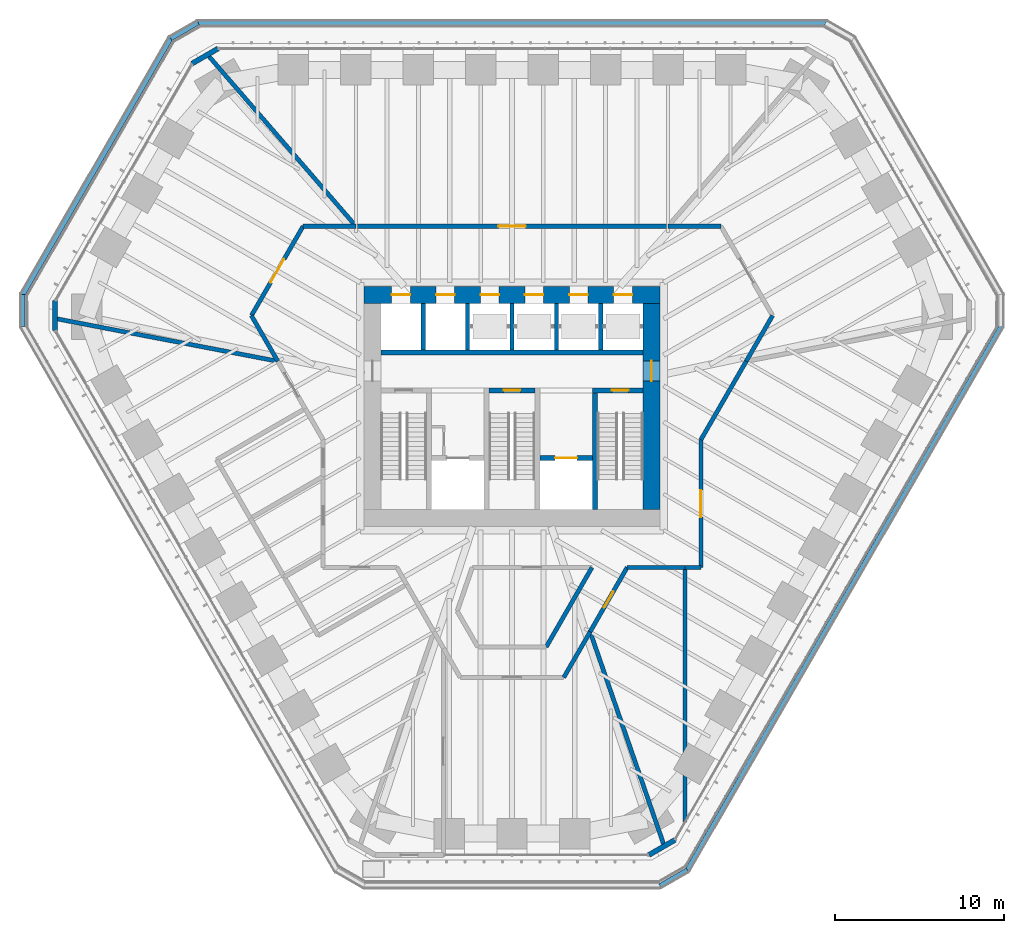
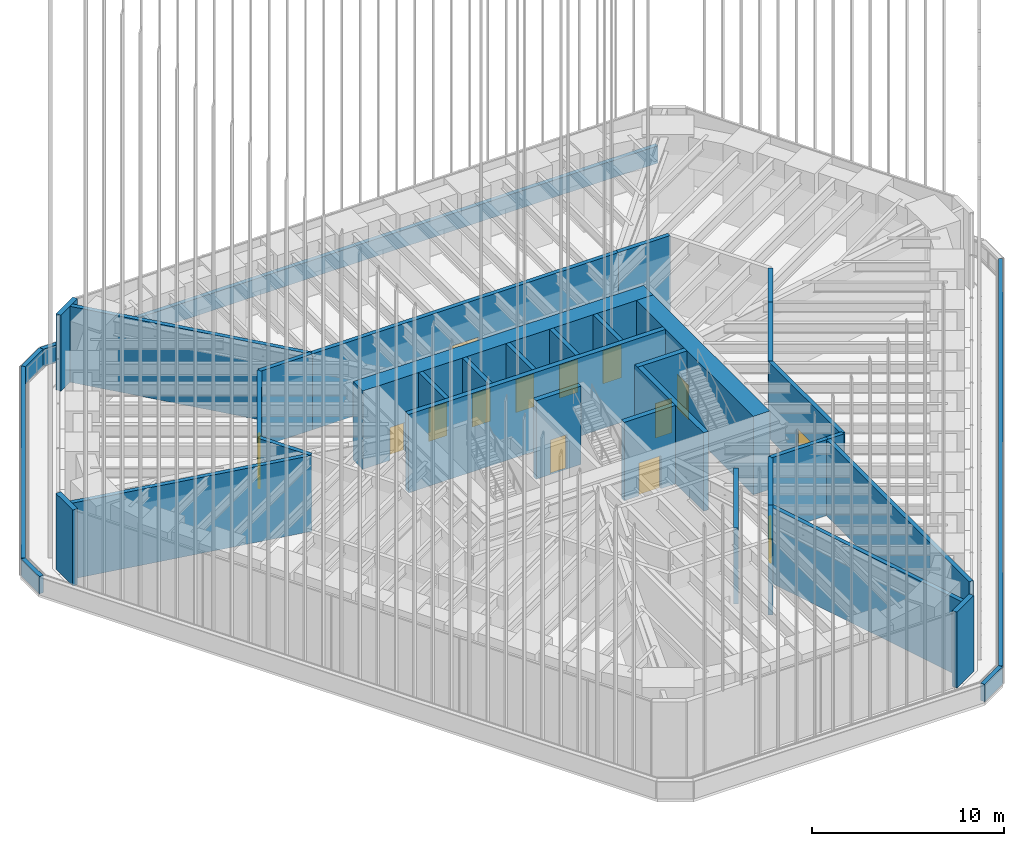
# One storey, part 221 of 228: 38 walls, 14 doors, 14 openings.
"""IFC4 building model written with IfcOpenShell, lengths in metres."""

from ifc_helpers import new_model, si_unit, direction, frame, frame_2d, origin, place, context, subcontext, project, spatial, rectangle, extrude, material, layer, layer_set, type_object, element, fill, save


model = new_model("IFC4")

# Units and contexts
model_context = context("Model", 3, precision=1e-05, world=origin(), true_north=direction((0.0, 1.0)))
body_context = subcontext(model_context, "Body", "Model", "MODEL_VIEW")
ifc_project = project(units=[si_unit("LENGTHUNIT", "METRE"), si_unit("AREAUNIT", "SQUARE_METRE"), si_unit("VOLUMEUNIT", "CUBIC_METRE"), si_unit("PLANEANGLEUNIT", "RADIAN"), si_unit("MASSUNIT", "GRAM", prefix="KILO")], contexts=[model_context])

# Site, building, storey
site_placement = place(None, origin())
site = spatial("IfcSite", under=ifc_project, at=site_placement, CompositionType="ELEMENT")
building_placement = place(site_placement, origin())
building = spatial("IfcBuilding", under=site, at=building_placement, Name="Sandreach Pilgrim Tower", CompositionType="ELEMENT")
storey_placement = place(building_placement, frame((0.0, 0.0, 178.199951171875)))
storey = spatial("IfcBuildingStorey", under=building, at=storey_placement, Name="L44", CompositionType="ELEMENT", Elevation=178.199951171875)

# Wall
ifc_material_1 = material(Name="Concrete 10000 psi", Category="concrete")
ifc_layer_1 = layer(ifc_material_1, 0.300048828125)
ifc_layer_set_1 = layer_set([ifc_layer_1], Name="Core inner wall 300")
wall_type_1 = type_object("IfcWallType", Name="Core inner wall 300", PredefinedType="SHEAR", material=ifc_layer_set_1)
wall_1_placement = place(storey_placement, frame((4.89990234375, -6.10009765625, 0.0), z_axis=(0.0, 0.0, 1.0), x_axis=(0.0, 1.0, 0.0)))
element("IfcWall", 1, at=wall_1_placement, inside=storey, type_object=wall_type_1, Name="Core wall I3 L44", PredefinedType="SHEAR", context=body_context, shape_type="SweptSolid", body=[
    extrude(rectangle(XDim=7.2001953125, YDim=0.300048828125, at=frame_2d((3.60009765625, 0.0))), origin(), (0.0, 0.0, 1.0), 5.0),
])

# Wall, opening, door
wall_2_placement = place(storey_placement, frame((-1.35009765625, 0.949951171875, 0.0), z_axis=(0.0, 0.0, 1.0), x_axis=(1.0, 0.0, 0.0)))
wall_2 = element("IfcWall", 2, at=wall_2_placement, inside=storey, type_object=wall_type_1, Name="Core wall SN3 L44", PredefinedType="SHEAR", context=body_context, shape_type="SweptSolid", body=[
    extrude(rectangle(XDim=2.7001953125, YDim=0.300048828125, at=frame_2d((1.35009765625, 0.0))), origin(), (0.0, 0.0, 1.0), 5.0),
])
opening_1_placement = place(wall_2_placement, frame((0.85009765625, 0.0, 0.0)))
opening_1 = element("IfcOpeningElement", 3, at=opening_1_placement, cuts=wall_2, Name="Opening D10S-ST3", PredefinedType="OPENING", context=body_context, shape_type="SweptSolid", body=[
    extrude(rectangle(XDim=1.0, YDim=2.199951171875, at=frame_2d((0.5, 1.10009765625))), frame((0.0, 0.14990234375, 0.0), z_axis=(0.0, -1.0, 0.0), x_axis=(1.0, 0.0, 0.0)), (0.0, 0.0, 1.0), 0.300048828125),
])
ifc_material_2 = material(Name="Steel door and frame", Category="steel")
door_type_1 = type_object("IfcDoorType", Name="Stair door", OperationType="SINGLE_SWING_LEFT", PredefinedType="DOOR", material=ifc_material_2)
door_1_placement = place(opening_1_placement, origin())
door_1 = element("IfcDoor", 4, at=door_1_placement, inside=storey, type_object=door_type_1, Name="Stair door ST3 L44", OperationType="SINGLE_SWING_LEFT", OverallHeight=2.199951171875, OverallWidth=1.0, PredefinedType="DOOR", context=body_context, shape_type="SweptSolid", body=[
    extrude(rectangle(XDim=1.0, YDim=2.199951171875, at=frame_2d((0.5, 1.10009765625))), frame((0.0, 0.02490234375, 0.0), z_axis=(0.0, -1.0, 0.0), x_axis=(1.0, 0.0, 0.0)), (0.0, 0.0, 1.0), 0.050048828125),
])
fill(opening_1, door_1)

wall_3_placement = place(storey_placement, frame((4.75, 0.949951171875, 0.0), z_axis=(0.0, 0.0, 1.0), x_axis=(1.0, 0.0, 0.0)))
wall_3 = element("IfcWall", 5, at=wall_3_placement, inside=storey, type_object=wall_type_1, Name="Core wall SN2 L44", PredefinedType="SHEAR", context=body_context, shape_type="SweptSolid", body=[
    extrude(rectangle(XDim=3.0, YDim=0.300048828125, at=frame_2d((1.5, 0.0))), origin(), (0.0, 0.0, 1.0), 5.0),
])
opening_2_placement = place(wall_3_placement, frame((1.14990234375, 0.0, 0.0)))
opening_2 = element("IfcOpeningElement", 6, at=opening_2_placement, cuts=wall_3, Name="Opening D10S-ST2", PredefinedType="OPENING", context=body_context, shape_type="SweptSolid", body=[
    extrude(rectangle(XDim=1.0, YDim=2.199951171875, at=frame_2d((0.5, 1.10009765625))), frame((0.0, 0.14990234375, 0.0), z_axis=(0.0, -1.0, 0.0), x_axis=(1.0, 0.0, 0.0)), (0.0, 0.0, 1.0), 0.300048828125),
])
door_2_placement = place(opening_2_placement, origin())
door_2 = element("IfcDoor", 7, at=door_2_placement, inside=storey, type_object=door_type_1, Name="Stair door ST2 L44", OperationType="SINGLE_SWING_RIGHT", OverallHeight=2.199951171875, OverallWidth=1.0, PredefinedType="DOOR", context=body_context, shape_type="SweptSolid", body=[
    extrude(rectangle(XDim=1.0, YDim=2.199951171875, at=frame_2d((0.5, 1.10009765625))), frame((0.0, 0.02490234375, 0.0), z_axis=(0.0, -1.0, 0.0), x_axis=(1.0, 0.0, 0.0)), (0.0, 0.0, 1.0), 0.050048828125),
])
fill(opening_2, door_2)

wall_4_placement = place(storey_placement, frame((1.64990234375, -3.050048828125, 0.0), z_axis=(0.0, 0.0, 1.0), x_axis=(1.0, 0.0, 0.0)))
wall_4 = element("IfcWall", 8, at=wall_4_placement, inside=storey, type_object=wall_type_1, Name="Core wall FL2 L44", PredefinedType="SHEAR", context=body_context, shape_type="SweptSolid", body=[
    extrude(rectangle(XDim=3.10009765625, YDim=0.300048828125, at=frame_2d((1.550048828125, 0.0))), origin(), (0.0, 0.0, 1.0), 5.0),
])
opening_3_placement = place(wall_4_placement, frame((0.89990234375, 0.0, 0.0)))
opening_3 = element("IfcOpeningElement", 9, at=opening_3_placement, cuts=wall_4, Name="Opening LD13", PredefinedType="OPENING", context=body_context, shape_type="SweptSolid", body=[
    extrude(rectangle(XDim=1.300048828125, YDim=2.10009765625, at=frame_2d((0.64990234375, 1.050048828125))), frame((0.0, 0.14990234375, 0.0), z_axis=(0.0, -1.0, 0.0), x_axis=(1.0, 0.0, 0.0)), (0.0, 0.0, 1.0), 0.300048828125),
])
ifc_material_3 = material(Name="Steel door and frame", Category="steel")
door_type_2 = type_object("IfcDoorType", Name="Fire service lift landing door", OperationType="DOUBLE_DOOR_SLIDING", PredefinedType="DOOR", material=ifc_material_3)
door_3_placement = place(opening_3_placement, origin())
door_3 = element("IfcDoor", 10, at=door_3_placement, inside=storey, type_object=door_type_2, Name="Lift landing door FS2 L44", OperationType="DOUBLE_DOOR_SLIDING", OverallHeight=2.10009765625, OverallWidth=1.300048828125, PredefinedType="DOOR", context=body_context, shape_type="SweptSolid", body=[
    extrude(rectangle(XDim=1.300048828125, YDim=2.10009765625, at=frame_2d((0.64990234375, 1.050048828125))), frame((0.0, 0.02490234375, 0.0), z_axis=(0.0, -1.0, 0.0), x_axis=(1.0, 0.0, 0.0)), (0.0, 0.0, 1.0), 0.050048828125),
])
fill(opening_3, door_3)

# Wall
wall_5_placement = place(storey_placement, frame((-7.75, 3.199951171875, 0.0), z_axis=(0.0, 0.0, 1.0), x_axis=(1.0, 0.0, 0.0)))
element("IfcWall", 11, at=wall_5_placement, inside=storey, type_object=wall_type_1, Name="Core wall PN L44", PredefinedType="SHEAR", context=body_context, shape_type="SweptSolid", body=[
    extrude(rectangle(XDim=15.5, YDim=0.300048828125, at=frame_2d((7.75, 0.0))), origin(), (0.0, 0.0, 1.0), 5.0),
])

# Wall, openings, doors
ifc_material_4 = material(Name="Concrete 10000 psi", Category="concrete")
ifc_layer_2 = layer(ifc_material_4, 1.0)
ifc_layer_set_2 = layer_set([ifc_layer_2], Name="Core wall 1000")
wall_type_2 = type_object("IfcWallType", Name="Core wall 1000", PredefinedType="SHEAR", material=ifc_layer_set_2)
wall_6_placement = place(storey_placement, frame((-8.75, 6.60009765625, 0.0), z_axis=(0.0, 0.0, 1.0), x_axis=(1.0, 0.0, 0.0)))
wall_6 = element("IfcWall", 12, at=wall_6_placement, inside=storey, type_object=wall_type_2, Name="Core wall N L44", PredefinedType="SHEAR", context=body_context, shape_type="SweptSolid", body=[
    extrude(rectangle(XDim=17.5, YDim=1.0, at=frame_2d((8.75, 0.0))), origin(), (0.0, 0.0, 1.0), 5.0),
])
opening_4_placement = place(wall_6_placement, frame((1.637451171875, 0.0, 0.0)))
opening_4 = element("IfcOpeningElement", 13, at=opening_4_placement, cuts=wall_6, Name="Opening LD11", PredefinedType="OPENING", context=body_context, shape_type="SweptSolid", body=[
    extrude(rectangle(XDim=1.10009765625, YDim=2.10009765625, at=frame_2d((0.550048828125, 1.050048828125))), frame((0.0, 0.5, 0.0), z_axis=(0.0, -1.0, 0.0), x_axis=(1.0, 0.0, 0.0)), (0.0, 0.0, 1.0), 1.0),
])
opening_5_placement = place(wall_6_placement, frame((4.262451171875, 0.0, 0.0)))
opening_5 = element("IfcOpeningElement", 14, at=opening_5_placement, cuts=wall_6, Name="Opening LD11", PredefinedType="OPENING", context=body_context, shape_type="SweptSolid", body=[
    extrude(rectangle(XDim=1.10009765625, YDim=2.10009765625, at=frame_2d((0.550048828125, 1.050048828125))), frame((0.0, 0.5, 0.0), z_axis=(0.0, -1.0, 0.0), x_axis=(1.0, 0.0, 0.0)), (0.0, 0.0, 1.0), 1.0),
])
opening_6_placement = place(wall_6_placement, frame((6.887451171875, 0.0, 0.0)))
opening_6 = element("IfcOpeningElement", 15, at=opening_6_placement, cuts=wall_6, Name="Opening LD11", PredefinedType="OPENING", context=body_context, shape_type="SweptSolid", body=[
    extrude(rectangle(XDim=1.10009765625, YDim=2.10009765625, at=frame_2d((0.550048828125, 1.050048828125))), frame((0.0, 0.5, 0.0), z_axis=(0.0, -1.0, 0.0), x_axis=(1.0, 0.0, 0.0)), (0.0, 0.0, 1.0), 1.0),
])
opening_7_placement = place(wall_6_placement, frame((9.512451171875, 0.0, 0.0)))
opening_7 = element("IfcOpeningElement", 16, at=opening_7_placement, cuts=wall_6, Name="Opening LD11", PredefinedType="OPENING", context=body_context, shape_type="SweptSolid", body=[
    extrude(rectangle(XDim=1.10009765625, YDim=2.10009765625, at=frame_2d((0.550048828125, 1.050048828125))), frame((0.0, 0.5, 0.0), z_axis=(0.0, -1.0, 0.0), x_axis=(1.0, 0.0, 0.0)), (0.0, 0.0, 1.0), 1.0),
])
opening_8_placement = place(wall_6_placement, frame((12.137451171875, 0.0, 0.0)))
opening_8 = element("IfcOpeningElement", 17, at=opening_8_placement, cuts=wall_6, Name="Opening LD11", PredefinedType="OPENING", context=body_context, shape_type="SweptSolid", body=[
    extrude(rectangle(XDim=1.10009765625, YDim=2.10009765625, at=frame_2d((0.550048828125, 1.050048828125))), frame((0.0, 0.5, 0.0), z_axis=(0.0, -1.0, 0.0), x_axis=(1.0, 0.0, 0.0)), (0.0, 0.0, 1.0), 1.0),
])
opening_9_placement = place(wall_6_placement, frame((14.762451171875, 0.0, 0.0)))
opening_9 = element("IfcOpeningElement", 18, at=opening_9_placement, cuts=wall_6, Name="Opening LD11", PredefinedType="OPENING", context=body_context, shape_type="SweptSolid", body=[
    extrude(rectangle(XDim=1.10009765625, YDim=2.10009765625, at=frame_2d((0.550048828125, 1.050048828125))), frame((0.0, 0.5, 0.0), z_axis=(0.0, -1.0, 0.0), x_axis=(1.0, 0.0, 0.0)), (0.0, 0.0, 1.0), 1.0),
])
ifc_material_5 = material(Name="Steel door and frame", Category="steel")
door_type_3 = type_object("IfcDoorType", Name="Lift landing door", OperationType="DOUBLE_DOOR_SLIDING", PredefinedType="DOOR", material=ifc_material_5)
door_4_placement = place(opening_4_placement, origin())
door_4 = element("IfcDoor", 19, at=door_4_placement, inside=storey, type_object=door_type_3, Name="Lift landing door SH1 L44", OperationType="DOUBLE_DOOR_SLIDING", OverallHeight=2.10009765625, OverallWidth=1.10009765625, PredefinedType="DOOR", context=body_context, shape_type="SweptSolid", body=[
    extrude(rectangle(XDim=1.10009765625, YDim=2.10009765625, at=frame_2d((0.550048828125, 1.050048828125))), frame((0.0, 0.02490234375, 0.0), z_axis=(0.0, -1.0, 0.0), x_axis=(1.0, 0.0, 0.0)), (0.0, 0.0, 1.0), 0.050048828125),
])
fill(opening_4, door_4)
door_5_placement = place(opening_5_placement, origin())
door_5 = element("IfcDoor", 20, at=door_5_placement, inside=storey, type_object=door_type_3, Name="Lift landing door SH2 L44", OperationType="DOUBLE_DOOR_SLIDING", OverallHeight=2.10009765625, OverallWidth=1.10009765625, PredefinedType="DOOR", context=body_context, shape_type="SweptSolid", body=[
    extrude(rectangle(XDim=1.10009765625, YDim=2.10009765625, at=frame_2d((0.550048828125, 1.050048828125))), frame((0.0, 0.02490234375, 0.0), z_axis=(0.0, -1.0, 0.0), x_axis=(1.0, 0.0, 0.0)), (0.0, 0.0, 1.0), 0.050048828125),
])
fill(opening_5, door_5)
door_6_placement = place(opening_6_placement, origin())
door_6 = element("IfcDoor", 21, at=door_6_placement, inside=storey, type_object=door_type_3, Name="Lift landing door Z3A L44", OperationType="DOUBLE_DOOR_SLIDING", OverallHeight=2.10009765625, OverallWidth=1.10009765625, PredefinedType="DOOR", context=body_context, shape_type="SweptSolid", body=[
    extrude(rectangle(XDim=1.10009765625, YDim=2.10009765625, at=frame_2d((0.550048828125, 1.050048828125))), frame((0.0, 0.02490234375, 0.0), z_axis=(0.0, -1.0, 0.0), x_axis=(1.0, 0.0, 0.0)), (0.0, 0.0, 1.0), 0.050048828125),
])
fill(opening_6, door_6)
door_7_placement = place(opening_7_placement, origin())
door_7 = element("IfcDoor", 22, at=door_7_placement, inside=storey, type_object=door_type_3, Name="Lift landing door Z3B L44", OperationType="DOUBLE_DOOR_SLIDING", OverallHeight=2.10009765625, OverallWidth=1.10009765625, PredefinedType="DOOR", context=body_context, shape_type="SweptSolid", body=[
    extrude(rectangle(XDim=1.10009765625, YDim=2.10009765625, at=frame_2d((0.550048828125, 1.050048828125))), frame((0.0, 0.02490234375, 0.0), z_axis=(0.0, -1.0, 0.0), x_axis=(1.0, 0.0, 0.0)), (0.0, 0.0, 1.0), 0.050048828125),
])
fill(opening_7, door_7)
door_8_placement = place(opening_8_placement, origin())
door_8 = element("IfcDoor", 23, at=door_8_placement, inside=storey, type_object=door_type_3, Name="Lift landing door Z3C L44", OperationType="DOUBLE_DOOR_SLIDING", OverallHeight=2.10009765625, OverallWidth=1.10009765625, PredefinedType="DOOR", context=body_context, shape_type="SweptSolid", body=[
    extrude(rectangle(XDim=1.10009765625, YDim=2.10009765625, at=frame_2d((0.550048828125, 1.050048828125))), frame((0.0, 0.02490234375, 0.0), z_axis=(0.0, -1.0, 0.0), x_axis=(1.0, 0.0, 0.0)), (0.0, 0.0, 1.0), 0.050048828125),
])
fill(opening_8, door_8)
door_9_placement = place(opening_9_placement, origin())
door_9 = element("IfcDoor", 24, at=door_9_placement, inside=storey, type_object=door_type_3, Name="Lift landing door Z3D L44", OperationType="DOUBLE_DOOR_SLIDING", OverallHeight=2.10009765625, OverallWidth=1.10009765625, PredefinedType="DOOR", context=body_context, shape_type="SweptSolid", body=[
    extrude(rectangle(XDim=1.10009765625, YDim=2.10009765625, at=frame_2d((0.550048828125, 1.050048828125))), frame((0.0, 0.02490234375, 0.0), z_axis=(0.0, -1.0, 0.0), x_axis=(1.0, 0.0, 0.0)), (0.0, 0.0, 1.0), 0.050048828125),
])
fill(opening_9, door_9)

# Wall, opening, door
wall_7_placement = place(storey_placement, frame((8.25, -6.10009765625, 0.0), z_axis=(0.0, 0.0, 1.0), x_axis=(0.0, 1.0, 0.0)))
wall_7 = element("IfcWall", 25, at=wall_7_placement, inside=storey, type_object=wall_type_2, Name="Core wall E L44", PredefinedType="SHEAR", context=body_context, shape_type="SweptSolid", body=[
    extrude(rectangle(XDim=12.2001953125, YDim=1.0, at=frame_2d((6.10009765625, 0.0))), origin(), (0.0, 0.0, 1.0), 5.0),
])
opening_10_placement = place(wall_7_placement, frame((7.60009765625, 0.0, 0.0)))
opening_10 = element("IfcOpeningElement", 26, at=opening_10_placement, cuts=wall_7, Name="Opening D12F-E", PredefinedType="OPENING", context=body_context, shape_type="SweptSolid", body=[
    extrude(rectangle(XDim=1.199951171875, YDim=2.199951171875, at=frame_2d((0.60009765625, 1.10009765625))), frame((0.0, 0.5, 0.0), z_axis=(0.0, -1.0, 0.0), x_axis=(1.0, 0.0, 0.0)), (0.0, 0.0, 1.0), 1.0),
])
ifc_material_6 = material(Name="Steel door and frame", Category="steel")
door_type_4 = type_object("IfcDoorType", Name="Fire lobby door", OperationType="SINGLE_SWING_LEFT", PredefinedType="DOOR", material=ifc_material_6)
door_10_placement = place(opening_10_placement, origin())
door_10 = element("IfcDoor", 27, at=door_10_placement, inside=storey, type_object=door_type_4, Name="Fire service lobby door E L44", OperationType="SINGLE_SWING_RIGHT", OverallHeight=2.199951171875, OverallWidth=1.199951171875, PredefinedType="DOOR", context=body_context, shape_type="SweptSolid", body=[
    extrude(rectangle(XDim=1.199951171875, YDim=2.199951171875, at=frame_2d((0.60009765625, 1.10009765625))), frame((0.0, 0.02490234375, 0.0), z_axis=(0.0, -1.0, 0.0), x_axis=(1.0, 0.0, 0.0)), (0.0, 0.0, 1.0), 0.050048828125),
])
fill(opening_10, door_10)

# Walls
ifc_material_7 = material(Name="Acoustic gypsum board wall, double frame", Category="gypsum")
ifc_layer_3 = layer(ifc_material_7, 0.25)
ifc_layer_set_3 = layer_set([ifc_layer_3], Name="Hall partition 250")
wall_type_3 = type_object("IfcWallType", Name="Hall partition 250", PredefinedType="PARTITIONING", material=ifc_layer_set_3)
wall_8_placement = place(storey_placement, frame((-27.04052734375, 5.204345703125, 0.0), z_axis=(0.0, 0.0, 1.0), x_axis=(0.982036771594, -0.188689637335, 0.0)))
element("IfcWall", 28, at=wall_8_placement, inside=storey, type_object=wall_type_3, Name="Hall partition L44-001", PredefinedType="PARTITIONING", context=body_context, shape_type="SweptSolid", body=[
    extrude(rectangle(XDim=13.431640625, YDim=0.25, at=frame_2d((6.7158203125, 0.0))), origin(), (0.0, 0.0, 1.0), 4.840087890625),
])
wall_9_placement = place(storey_placement, frame((-15.409912109375, 5.3701171875, 0.0), z_axis=(0.0, 0.0, 1.0), x_axis=(0.50020585531, -0.86590652054, 0.0)))
element("IfcWall", 29, at=wall_9_placement, inside=storey, type_object=wall_type_3, Name="Hall partition L44-004", PredefinedType="PARTITIONING", context=body_context, shape_type="SweptSolid", body=[
    extrude(rectangle(XDim=3.118408203125, YDim=0.25, at=frame_2d((1.55908203125, 0.0))), origin(), (0.0, 0.0, 1.0), 4.840087890625),
])

# Wall, opening, door
wall_10_placement = place(storey_placement, frame((-12.35009765625, 10.659912109375, 0.0), z_axis=(0.0, 0.0, 1.0), x_axis=(-0.500688204455, -0.865627703992, 0.0)))
wall_10 = element("IfcWall", 30, at=wall_10_placement, inside=storey, type_object=wall_type_3, Name="Hall partition L44-007", PredefinedType="PARTITIONING", context=body_context, shape_type="SweptSolid", body=[
    extrude(rectangle(XDim=6.111328125, YDim=0.25, at=frame_2d((3.0556640625, 0.0))), origin(), (0.0, 0.0, 1.0), 4.840087890625),
])
opening_11_placement = place(wall_10_placement, frame((2.255615234375, 0.0, 0.0)))
opening_11 = element("IfcOpeningElement", 31, at=opening_11_placement, cuts=wall_10, Name="Opening D16-06", PredefinedType="OPENING", context=body_context, shape_type="SweptSolid", body=[
    extrude(rectangle(XDim=1.60009765625, YDim=2.39990234375, at=frame_2d((0.800048828125, 1.199951171875))), frame((0.0, 0.125, 0.0), z_axis=(0.0, -1.0, 0.0), x_axis=(1.0, 0.0, 0.0)), (0.0, 0.0, 1.0), 0.25),
])
ifc_material_8 = material(Name="Steel door and frame", Category="steel")
door_type_5 = type_object("IfcDoorType", Name="Hall double door", OperationType="DOUBLE_DOOR_SINGLE_SWING", PredefinedType="DOOR", material=ifc_material_8)
door_11_placement = place(opening_11_placement, origin())
door_11 = element("IfcDoor", 32, at=door_11_placement, inside=storey, type_object=door_type_5, Name="Door 4406", OperationType="DOUBLE_DOOR_SINGLE_SWING", OverallHeight=2.39990234375, OverallWidth=1.60009765625, PredefinedType="DOOR", context=body_context, shape_type="SweptSolid", body=[
    extrude(rectangle(XDim=1.60009765625, YDim=2.39990234375, at=frame_2d((0.800048828125, 1.199951171875))), frame((0.0, 0.02490234375, 0.0), z_axis=(0.0, -1.0, 0.0), x_axis=(1.0, 0.0, 0.0)), (0.0, 0.0, 1.0), 0.050048828125),
])
fill(opening_11, door_11)

# Walls
wall_11_placement = place(storey_placement, frame((-9.22998046875, 10.659912109375, 0.0), z_axis=(0.0, 0.0, 1.0), x_axis=(-0.654394130992, 0.756153636058, 0.0)))
element("IfcWall", 33, at=wall_11_placement, inside=storey, type_object=wall_type_3, Name="Hall partition L44-017", PredefinedType="PARTITIONING", context=body_context, shape_type="SweptSolid", body=[
    extrude(rectangle(XDim=13.43310546875, YDim=0.25, at=frame_2d((6.716552734375, 0.0))), origin(), (0.0, 0.0, 1.0), 4.840087890625),
])
wall_12_placement = place(storey_placement, frame((-9.22998046875, 10.659912109375, 0.0), z_axis=(0.0, 0.0, 1.0), x_axis=(-1.0, 0.0, 0.0)))
element("IfcWall", 34, at=wall_12_placement, inside=storey, type_object=wall_type_3, Name="Hall partition L44-018", PredefinedType="PARTITIONING", context=body_context, shape_type="SweptSolid", body=[
    extrude(rectangle(XDim=3.1201171875, YDim=0.25, at=frame_2d((1.56005859375, 0.0))), origin(), (0.0, 0.0, 1.0), 4.840087890625),
])
wall_13_placement = place(storey_placement, frame((3.06005859375, -16.030029296875, 0.0), z_axis=(0.0, 0.0, 1.0), x_axis=(0.500298468391, 0.865853014388, 0.0)))
element("IfcWall", 35, at=wall_13_placement, inside=storey, type_object=wall_type_3, Name="Hall partition L44-030", PredefinedType="PARTITIONING", context=body_context, shape_type="SweptSolid", body=[
    extrude(rectangle(XDim=3.1181640625, YDim=0.25, at=frame_2d((1.55908203125, 0.0))), origin(), (0.0, 0.0, 1.0), 4.840087890625),
])
wall_14_placement = place(storey_placement, frame((4.6201171875, -13.330078125, 0.0), z_axis=(0.0, 0.0, 1.0), x_axis=(0.327133057776, -0.944978286793, 0.0)))
element("IfcWall", 36, at=wall_14_placement, inside=storey, type_object=wall_type_3, Name="Hall partition L44-031", PredefinedType="PARTITIONING", context=body_context, shape_type="SweptSolid", body=[
    extrude(rectangle(XDim=13.419921875, YDim=0.25, at=frame_2d((6.7099609375, 0.0))), origin(), (0.0, 0.0, 1.0), 4.840087890625),
])
wall_15_placement = place(storey_placement, frame((4.72998046875, -9.52001953125, 0.0), z_axis=(0.0, 0.0, 1.0), x_axis=(-0.498710838572, -0.86676842322, 0.0)))
element("IfcWall", 37, at=wall_15_placement, inside=storey, type_object=wall_type_3, Name="Hall partition L44-032", PredefinedType="PARTITIONING", context=body_context, shape_type="SweptSolid", body=[
    extrude(rectangle(XDim=5.433837890625, YDim=0.25, at=frame_2d((2.716796875, 0.0))), origin(), (0.0, 0.0, 1.0), 4.840087890625),
])

# Wall, opening, door
wall_16_placement = place(storey_placement, frame((6.81005859375, -9.52001953125, 0.0), z_axis=(0.0, 0.0, 1.0), x_axis=(-0.49916925958, -0.866504501021, 0.0)))
wall_16 = element("IfcWall", 38, at=wall_16_placement, inside=storey, type_object=wall_type_3, Name="Hall partition L44-033", PredefinedType="PARTITIONING", context=body_context, shape_type="SweptSolid", body=[
    extrude(rectangle(XDim=4.39453125, YDim=0.25, at=frame_2d((2.197265625, 0.0))), origin(), (0.0, 0.0, 1.0), 4.840087890625),
])
opening_12_placement = place(wall_16_placement, frame((1.647216796875, 0.0, 0.0)))
opening_12 = element("IfcOpeningElement", 39, at=opening_12_placement, cuts=wall_16, Name="Opening D11H-N1", PredefinedType="OPENING", context=body_context, shape_type="SweptSolid", body=[
    extrude(rectangle(XDim=1.10009765625, YDim=2.199951171875, at=frame_2d((0.550048828125, 1.10009765625))), frame((0.0, 0.125, 0.0), z_axis=(0.0, -1.0, 0.0), x_axis=(1.0, 0.0, 0.0)), (0.0, 0.0, 1.0), 0.25),
])
ifc_material_9 = material(Name="Steel door and frame", Category="steel")
door_type_6 = type_object("IfcDoorType", Name="Back of house door", OperationType="SINGLE_SWING_LEFT", PredefinedType="DOOR", material=ifc_material_9)
door_12_placement = place(opening_12_placement, origin())
door_12 = element("IfcDoor", 40, at=door_12_placement, inside=storey, type_object=door_type_6, Name="Door 44N1", OperationType="SINGLE_SWING_LEFT", OverallHeight=2.199951171875, OverallWidth=1.10009765625, PredefinedType="DOOR", context=body_context, shape_type="SweptSolid", body=[
    extrude(rectangle(XDim=1.10009765625, YDim=2.199951171875, at=frame_2d((0.550048828125, 1.10009765625))), frame((0.0, 0.02490234375, 0.0), z_axis=(0.0, -1.0, 0.0), x_axis=(1.0, 0.0, 0.0)), (0.0, 0.0, 1.0), 0.050048828125),
])
fill(opening_12, door_12)

# Wall
wall_17_placement = place(storey_placement, frame((6.81005859375, -9.52001953125, 0.0), z_axis=(0.0, 0.0, 1.0), x_axis=(1.0, 0.0, 0.0)))
element("IfcWall", 41, at=wall_17_placement, inside=storey, type_object=wall_type_3, Name="Hall partition L44-034", PredefinedType="PARTITIONING", context=body_context, shape_type="SweptSolid", body=[
    extrude(rectangle(XDim=3.419921875, YDim=0.25, at=frame_2d((1.7099609375, 0.0))), origin(), (0.0, 0.0, 1.0), 4.840087890625),
])

# Wall, opening, door
wall_18_placement = place(storey_placement, frame((9.22998046875, 10.659912109375, 0.0), z_axis=(0.0, 0.0, 1.0), x_axis=(-1.0, 0.0, 0.0)))
wall_18 = element("IfcWall", 42, at=wall_18_placement, inside=storey, type_object=wall_type_3, Name="Hall partition L44-035", PredefinedType="PARTITIONING", context=body_context, shape_type="SweptSolid", body=[
    extrude(rectangle(XDim=18.4599609375, YDim=0.25, at=frame_2d((9.22998046875, 0.0))), origin(), (0.0, 0.0, 1.0), 4.840087890625),
])
opening_13_placement = place(wall_18_placement, frame((8.429931640625, 0.0, 0.0)))
opening_13 = element("IfcOpeningElement", 43, at=opening_13_placement, cuts=wall_18, Name="Opening D16-01", PredefinedType="OPENING", context=body_context, shape_type="SweptSolid", body=[
    extrude(rectangle(XDim=1.60009765625, YDim=2.39990234375, at=frame_2d((0.800048828125, 1.199951171875))), frame((0.0, 0.125, 0.0), z_axis=(0.0, -1.0, 0.0), x_axis=(1.0, 0.0, 0.0)), (0.0, 0.0, 1.0), 0.25),
])
door_13_placement = place(opening_13_placement, origin())
door_13 = element("IfcDoor", 44, at=door_13_placement, inside=storey, type_object=door_type_5, Name="Door 4401", OperationType="DOUBLE_DOOR_SINGLE_SWING", OverallHeight=2.39990234375, OverallWidth=1.60009765625, PredefinedType="DOOR", context=body_context, shape_type="SweptSolid", body=[
    extrude(rectangle(XDim=1.60009765625, YDim=2.39990234375, at=frame_2d((0.800048828125, 1.199951171875))), frame((0.0, 0.02490234375, 0.0), z_axis=(0.0, -1.0, 0.0), x_axis=(1.0, 0.0, 0.0)), (0.0, 0.0, 1.0), 0.050048828125),
])
fill(opening_13, door_13)

# Walls
wall_19_placement = place(storey_placement, frame((10.22998046875, -24.570068359375, 0.0), z_axis=(0.0, 0.0, 1.0), x_axis=(0.0, 1.0, 0.0)))
element("IfcWall", 45, at=wall_19_placement, inside=storey, type_object=wall_type_3, Name="Hall partition L44-036", PredefinedType="PARTITIONING", context=body_context, shape_type="SweptSolid", body=[
    extrude(rectangle(XDim=15.050048828125, YDim=0.25, at=frame_2d((7.52490234375, 0.0))), origin(), (0.0, 0.0, 1.0), 4.840087890625),
])
wall_20_placement = place(storey_placement, frame((10.22998046875, -9.52001953125, 0.0), z_axis=(0.0, 0.0, 1.0), x_axis=(1.0, 0.0, 0.0)))
element("IfcWall", 46, at=wall_20_placement, inside=storey, type_object=wall_type_3, Name="Hall partition L44-037", PredefinedType="PARTITIONING", context=body_context, shape_type="SweptSolid", body=[
    extrude(rectangle(XDim=0.93994140625, YDim=0.25, at=frame_2d((0.469970703125, 0.0))), origin(), (0.0, 0.0, 1.0), 4.840087890625),
])

# Wall, opening, door
wall_21_placement = place(storey_placement, frame((11.169921875, -9.52001953125, 0.0), z_axis=(0.0, 0.0, 1.0), x_axis=(0.0, 1.0, 0.0)))
wall_21 = element("IfcWall", 47, at=wall_21_placement, inside=storey, type_object=wall_type_3, Name="Hall partition L44-038", PredefinedType="PARTITIONING", context=body_context, shape_type="SweptSolid", body=[
    extrude(rectangle(XDim=7.550048828125, YDim=0.25, at=frame_2d((3.77490234375, 0.0))), origin(), (0.0, 0.0, 1.0), 4.840087890625),
])
opening_14_placement = place(wall_21_placement, frame((2.97509765625, 0.0, 0.0)))
opening_14 = element("IfcOpeningElement", 48, at=opening_14_placement, cuts=wall_21, Name="Opening D16-03", PredefinedType="OPENING", context=body_context, shape_type="SweptSolid", body=[
    extrude(rectangle(XDim=1.60009765625, YDim=2.39990234375, at=frame_2d((0.800048828125, 1.199951171875))), frame((0.0, 0.125, 0.0), z_axis=(0.0, -1.0, 0.0), x_axis=(1.0, 0.0, 0.0)), (0.0, 0.0, 1.0), 0.25),
])
door_14_placement = place(opening_14_placement, origin())
door_14 = element("IfcDoor", 49, at=door_14_placement, inside=storey, type_object=door_type_5, Name="Door 4403", OperationType="DOUBLE_DOOR_SINGLE_SWING", OverallHeight=2.39990234375, OverallWidth=1.60009765625, PredefinedType="DOOR", context=body_context, shape_type="SweptSolid", body=[
    extrude(rectangle(XDim=1.60009765625, YDim=2.39990234375, at=frame_2d((0.800048828125, 1.199951171875))), frame((0.0, 0.02490234375, 0.0), z_axis=(0.0, -1.0, 0.0), x_axis=(1.0, 0.0, 0.0)), (0.0, 0.0, 1.0), 0.050048828125),
])
fill(opening_14, door_14)

# Walls
wall_22_placement = place(storey_placement, frame((11.169921875, -1.969970703125, 0.0), z_axis=(0.0, 0.0, 1.0), x_axis=(0.500186503593, 0.865917699105, 0.0)))
element("IfcWall", 50, at=wall_22_placement, inside=storey, type_object=wall_type_3, Name="Hall partition L44-039", PredefinedType="PARTITIONING", context=body_context, shape_type="SweptSolid", body=[
    extrude(rectangle(XDim=5.3583984375, YDim=0.25, at=frame_2d((2.67919921875, 0.0))), origin(), (0.0, 0.0, 1.0), 4.840087890625),
])
wall_23_placement = place(storey_placement, frame((12.35009765625, 10.659912109375, 0.0), z_axis=(0.0, 0.0, 1.0), x_axis=(-1.0, 0.0, 0.0)))
element("IfcWall", 51, at=wall_23_placement, inside=storey, type_object=wall_type_3, Name="Hall partition L44-040", PredefinedType="PARTITIONING", context=body_context, shape_type="SweptSolid", body=[
    extrude(rectangle(XDim=3.1201171875, YDim=0.25, at=frame_2d((1.56005859375, 0.0))), origin(), (0.0, 0.0, 1.0), 4.840087890625),
])
wall_24_placement = place(storey_placement, frame((13.85009765625, 2.669921875, 0.0), z_axis=(0.0, 0.0, 1.0), x_axis=(0.50020585531, 0.86590652054, 0.0)))
element("IfcWall", 52, at=wall_24_placement, inside=storey, type_object=wall_type_3, Name="Hall partition L44-041", PredefinedType="PARTITIONING", context=body_context, shape_type="SweptSolid", body=[
    extrude(rectangle(XDim=3.118408203125, YDim=0.25, at=frame_2d((1.55908203125, 0.0))), origin(), (0.0, 0.0, 1.0), 4.840087890625),
])
ifc_material_10 = material(Name="Concrete parapet with terracotta coping", Category="masonry")
ifc_layer_4 = layer(ifc_material_10, 0.25)
ifc_layer_set_4 = layer_set([ifc_layer_4], Name="Setback parapet")
wall_type_4 = type_object("IfcWallType", Name="Setback parapet", PredefinedType="PARAPET", material=ifc_layer_set_4)
wall_25_placement = place(storey_placement, frame((-18.5595703125, 22.677734375, 0.0), z_axis=(0.0, 0.0, 1.0), x_axis=(-0.86651128649, -0.499157480546, 0.0)))
element("IfcWall", 53, at=wall_25_placement, inside=storey, type_object=wall_type_4, Name="Setback parapet L44 1", PredefinedType="PARAPET", context=body_context, shape_type="SweptSolid", body=[
    extrude(rectangle(XDim=1.870849609375, YDim=0.25, at=frame_2d((0.935546875, 0.0))), origin(), (0.0, 0.0, 1.0), 1.10009765625),
])
wall_26_placement = place(storey_placement, frame((-20.1806640625, 21.743896484375, 0.0), z_axis=(0.0, 0.0, 1.0), x_axis=(-0.500000912942, -0.866024876697, 0.0)))
element("IfcWall", 54, at=wall_26_placement, inside=storey, type_object=wall_type_4, Name="Setback parapet L44 2", PredefinedType="PARAPET", context=body_context, shape_type="SweptSolid", body=[
    extrude(rectangle(XDim=17.48095703125, YDim=0.25, at=frame_2d((8.740478515625, 0.0))), origin(), (0.0, 0.0, 1.0), 1.10009765625),
])
wall_27_placement = place(storey_placement, frame((-28.921142578125, 6.60498046875, 0.0), z_axis=(0.0, 0.0, 1.0), x_axis=(0.001043976986, -0.999999455056, 0.0)))
element("IfcWall", 55, at=wall_27_placement, inside=storey, type_object=wall_type_4, Name="Setback parapet L44 3", PredefinedType="PARAPET", context=body_context, shape_type="SweptSolid", body=[
    extrude(rectangle(XDim=1.870849609375, YDim=0.25, at=frame_2d((0.935546875, 0.0))), origin(), (0.0, 0.0, 1.0), 1.10009765625),
])
wall_28_placement = place(storey_placement, frame((8.740478515625, -28.348876953125, 0.0), z_axis=(0.0, 0.0, 1.0), x_axis=(0.865515622283, 0.500881929783, 0.0)))
element("IfcWall", 56, at=wall_28_placement, inside=storey, type_object=wall_type_4, Name="Setback parapet L44 7", PredefinedType="PARAPET", context=body_context, shape_type="SweptSolid", body=[
    extrude(rectangle(XDim=1.87060546875, YDim=0.25, at=frame_2d((0.935302734375, 0.0))), origin(), (0.0, 0.0, 1.0), 1.10009765625),
])
for number, where, z_axis, x_axis, name in (
    (57, (10.359619140625, -27.411865234375, 0.0), (0.0, 0.0, 1.0), (0.500001430823, 0.866024577697, 0.0), "Setback parapet L44 8"),
    (58, (18.5595703125, 22.677734375, 0.0), (0.0, 0.0, 1.0), (-1.0, 0.0, 0.0), "Setback parapet L44 12"),
):
    element("IfcWall", number, at=place(storey_placement, frame(where, z_axis=z_axis, x_axis=x_axis)), inside=storey, type_object=wall_type_4, Name=name, PredefinedType="PARAPET", context=body_context, shape_type="SweptSolid", body=[
        extrude(rectangle(XDim=37.119140625, YDim=0.25, at=frame_2d((18.5595703125, 0.0))), origin(), (0.0, 0.0, 1.0), 1.10009765625),
    ])
ifc_material_11 = material(Name="Gypsum shaft wall on steel studs, two layers of shaft liner board", Category="steel")
ifc_layer_5 = layer(ifc_material_11, 0.25)
ifc_layer_set_5 = layer_set([ifc_layer_5], Name="Shaft partition 250")
wall_type_5 = type_object("IfcWallType", Name="Shaft partition 250", PredefinedType="PARTITIONING", material=ifc_layer_set_5)
for number, where, z_axis, x_axis, name in (
    (59, (-5.25, 3.35009765625, 0.0), (0.0, 0.0, 1.0), (0.0, 1.0, 0.0), "Shaft partition NS0 L44"),
    (60, (-2.625, 3.35009765625, 0.0), (0.0, 0.0, 1.0), (0.0, 1.0, 0.0), "Shaft partition NS1 L44"),
    (61, (0.0, 3.35009765625, 0.0), (0.0, 0.0, 1.0), (0.0, 1.0, 0.0), "Shaft partition NS2 L44"),
    (62, (2.625, 3.35009765625, 0.0), (0.0, 0.0, 1.0), (0.0, 1.0, 0.0), "Shaft partition NS3 L44"),
    (63, (5.25, 3.35009765625, 0.0), (0.0, 0.0, 1.0), (0.0, 1.0, 0.0), "Shaft partition NS4 L44"),
):
    element("IfcWall", number, at=place(storey_placement, frame(where, z_axis=z_axis, x_axis=x_axis)), inside=storey, type_object=wall_type_5, Name=name, PredefinedType="PARTITIONING", context=body_context, shape_type="SweptSolid", body=[
        extrude(rectangle(XDim=2.75, YDim=0.25, at=frame_2d((1.375, 0.0))), origin(), (0.0, 0.0, 1.0), 5.0),
    ])
ifc_material_12 = material(Name="Terracotta rainscreen on concrete", Category="masonry")
ifc_layer_6 = layer(ifc_material_12, 0.300048828125)
ifc_layer_set_6 = layer_set([ifc_layer_6], Name="Terracotta chamfer pier")
wall_type_6 = type_object("IfcWallType", Name="Terracotta chamfer pier", PredefinedType="SOLIDWALL", material=ifc_layer_set_6)
for number, where, z_axis, x_axis, name in (
    (64, (9.63037109375, -25.64013671875, 0.0), (0.0, 0.0, 1.0), (-0.866036293601, -0.499981137809, 0.0), "Chamfer pier L44 SE"),
    (65, (-27.02001953125, 4.47998046875, 0.0), (0.0, 0.0, 1.0), (0.0, 1.0, 0.0), "Chamfer pier L44 SW"),
    (66, (-18.9228515625, 20.275146484375, 0.0), (0.0, 0.0, 1.0), (0.866036293601, 0.499981137809, 0.0), "Chamfer pier L44 NW"),
):
    element("IfcWall", number, at=place(storey_placement, frame(where, z_axis=z_axis, x_axis=x_axis)), inside=storey, type_object=wall_type_6, Name=name, PredefinedType="SOLIDWALL", context=body_context, shape_type="SweptSolid", body=[
        extrude(rectangle(XDim=1.77001953125, YDim=0.300048828125, at=frame_2d((0.885009765625, 0.0))), origin(), (0.0, 0.0, 1.0), 4.840087890625),
    ])

save(model, "model.ifc")
